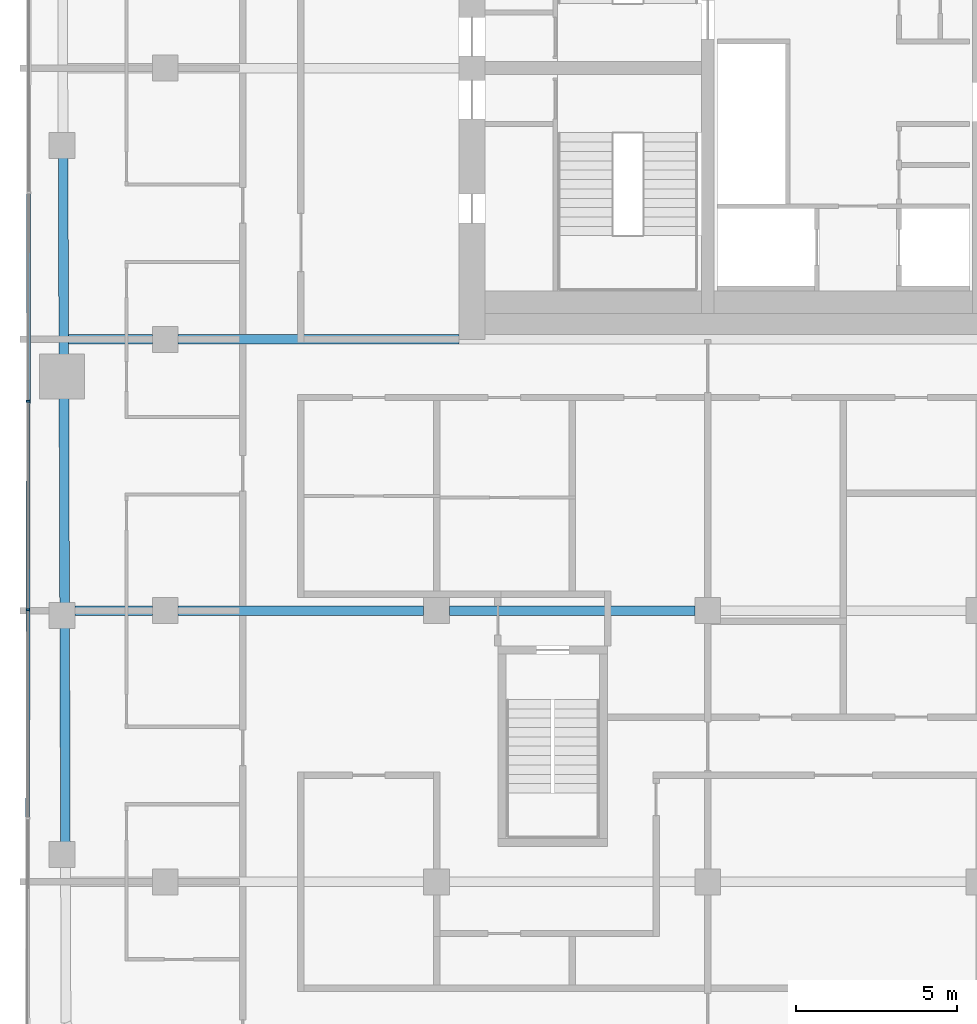
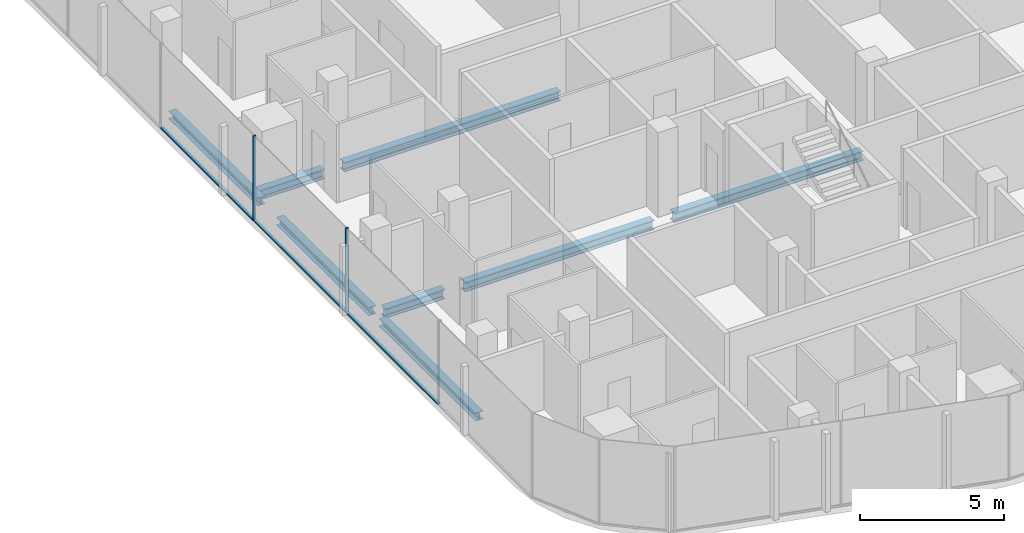
# One storey, part 4 of 21: 8 beams, 5 members, 1 element without a shape of its own.
"""IFC4 building model written with IfcOpenShell, lengths in metres."""

from ifc_helpers import new_model, si_unit, direction, frame, origin, origin_2d, place, context, subcontext, project, spatial, rectangle, i_section, extrude, material, layer, layer_set, material_profile, profile_set, type_object, element, aggregate, save


model = new_model("IFC4")

# Units and contexts
model_context = context("Model", 3, precision=1e-05, world=origin(), true_north=direction((0.0, 1.0)))
body_context = subcontext(model_context, "Body", "Model", "MODEL_VIEW")
ifc_project = project(units=[si_unit("LENGTHUNIT", "METRE"), si_unit("AREAUNIT", "SQUARE_METRE"), si_unit("VOLUMEUNIT", "CUBIC_METRE"), si_unit("PLANEANGLEUNIT", "RADIAN"), si_unit("MASSUNIT", "GRAM", prefix="KILO")], contexts=[model_context])

# Site, building, storey
site_placement = place(None, origin())
site = spatial("IfcSite", under=ifc_project, at=site_placement, CompositionType="ELEMENT")
building_placement = place(site_placement, origin())
building = spatial("IfcBuilding", under=site, at=building_placement, Name="Marenta Gate Hotel Tower", CompositionType="ELEMENT")
storey_placement = place(building_placement, frame((0.0, 0.0, 245.300048828125)))
storey = spatial("IfcBuildingStorey", under=building, at=storey_placement, Name="L58", CompositionType="ELEMENT", Elevation=245.300048828125)

# Beams
ifc_material_1 = material(Name="Steel S355", Category="steel")
ifc_material_profile_1 = material_profile(ifc_material_1, i_section(OverallWidth=0.300048828125, OverallDepth=0.340087890625, WebThickness=0.011962890625, FlangeThickness=0.021484375, FilletRadius=0.027099609375, at=origin_2d()), Name="HEB 340")
ifc_profile_set_1 = profile_set([ifc_material_profile_1], Name="Steel S355")
beam_type_1 = type_object("IfcBeamType", Name="Edge beam HEB 340", PredefinedType="SPANDREL", material=ifc_profile_set_1)
beam_1_placement = place(storey_placement, frame((-24.09375, -15.591796875, -0.429931640625), z_axis=(-0.00332539729, 0.999994470851, 0.0), x_axis=(-0.999994470851, -0.00332539729, 0.0)))
element("IfcBeam", 1, at=beam_1_placement, inside=storey, type_object=beam_type_1, Name="L58-EB-6", PredefinedType="SPANDREL", context=body_context, shape_type="SweptSolid", body=[
    extrude(i_section(OverallWidth=0.300048828125, OverallDepth=0.340087890625, WebThickness=0.011962890625, FlangeThickness=0.021484375, FilletRadius=0.027099609375, at=origin_2d()), origin(), (0.0, 0.0, 1.0), 6.680908203125),
])
beam_2_placement = place(storey_placement, frame((-24.118408203125, -8.19091796875, -0.429931640625), z_axis=(-0.003328723523, 0.999994459785, 0.0), x_axis=(-0.999994459785, -0.003328723523, 0.0)))
element("IfcBeam", 2, at=beam_2_placement, inside=storey, type_object=beam_type_1, Name="L58-EB-7", PredefinedType="SPANDREL", context=body_context, shape_type="SweptSolid", body=[
    extrude(i_section(OverallWidth=0.300048828125, OverallDepth=0.340087890625, WebThickness=0.011962890625, FlangeThickness=0.021484375, FilletRadius=0.027099609375, at=origin_2d()), origin(), (0.0, 0.0, 1.0), 6.380859375),
])
beam_3_placement = place(storey_placement, frame((-24.14404296875, -0.489990234375, -0.429931640625), z_axis=(-0.003303859048, 0.999994542243, 0.0), x_axis=(-0.999994542243, -0.003303859048, 0.0)))
element("IfcBeam", 3, at=beam_3_placement, inside=storey, type_object=beam_type_1, Name="L58-EB-8", PredefinedType="SPANDREL", context=body_context, shape_type="SweptSolid", body=[
    extrude(i_section(OverallWidth=0.300048828125, OverallDepth=0.340087890625, WebThickness=0.011962890625, FlangeThickness=0.021484375, FilletRadius=0.027099609375, at=origin_2d()), origin(), (0.0, 0.0, 1.0), 6.13330078125),
])
ifc_material_2 = material(Name="Steel S355", Category="steel")
ifc_material_profile_2 = material_profile(ifc_material_2, i_section(OverallWidth=0.300048828125, OverallDepth=0.39990234375, WebThickness=0.013427734375, FlangeThickness=0.02392578125, FilletRadius=0.027099609375, at=origin_2d()), Name="HEB 400")
ifc_profile_set_2 = profile_set([ifc_material_profile_2], Name="Steel S355")
beam_type_2 = type_object("IfcBeamType", Name="Girder HEB 400", PredefinedType="BEAM", material=ifc_profile_set_2)
beam_4_placement = place(storey_placement, frame((-23.800048828125, -8.39990234375, -0.4599609375), z_axis=(1.0, 0.0, 0.0), x_axis=(0.0, 1.0, 0.0)))
element("IfcBeam", 4, at=beam_4_placement, inside=storey, type_object=beam_type_2, Name="L58-GD-13", PredefinedType="BEAM", context=body_context, shape_type="SweptSolid", body=[
    extrude(i_section(OverallWidth=0.300048828125, OverallDepth=0.39990234375, WebThickness=0.013427734375, FlangeThickness=0.02392578125, FilletRadius=0.027099609375, at=origin_2d()), origin(), (0.0, 0.0, 1.0), 2.400146484375),
])
beam_5_placement = place(storey_placement, frame((-20.60009765625, -8.39990234375, -0.4599609375), z_axis=(1.0, 0.0, 0.0), x_axis=(0.0, 1.0, 0.0)))
element("IfcBeam", 5, at=beam_5_placement, inside=storey, type_object=beam_type_2, Name="L58-GD-14", PredefinedType="BEAM", context=body_context, shape_type="SweptSolid", body=[
    extrude(i_section(OverallWidth=0.300048828125, OverallDepth=0.39990234375, WebThickness=0.013427734375, FlangeThickness=0.02392578125, FilletRadius=0.027099609375, at=origin_2d()), origin(), (0.0, 0.0, 1.0), 7.60009765625),
])
beam_6_placement = place(storey_placement, frame((-12.199951171875, -8.39990234375, -0.4599609375), z_axis=(1.0, 0.0, 0.0), x_axis=(0.0, 1.0, 0.0)))
element("IfcBeam", 6, at=beam_6_placement, inside=storey, type_object=beam_type_2, Name="L58-GD-15", PredefinedType="BEAM", context=body_context, shape_type="SweptSolid", body=[
    extrude(i_section(OverallWidth=0.300048828125, OverallDepth=0.39990234375, WebThickness=0.013427734375, FlangeThickness=0.02392578125, FilletRadius=0.027099609375, at=origin_2d()), origin(), (0.0, 0.0, 1.0), 7.599853515625),
])
beam_7_placement = place(storey_placement, frame((-23.99560546875, 0.0, -0.4599609375), z_axis=(1.0, 0.0, 0.0), x_axis=(0.0, 1.0, 0.0)))
element("IfcBeam", 7, at=beam_7_placement, inside=storey, type_object=beam_type_2, Name="L58-GD-20", PredefinedType="BEAM", context=body_context, shape_type="SweptSolid", body=[
    extrude(i_section(OverallWidth=0.300048828125, OverallDepth=0.39990234375, WebThickness=0.013427734375, FlangeThickness=0.02392578125, FilletRadius=0.027099609375, at=origin_2d()), origin(), (0.0, 0.0, 1.0), 2.595703125),
])
beam_8_placement = place(storey_placement, frame((-20.60009765625, 0.0, -0.4599609375), z_axis=(1.0, 0.0, 0.0), x_axis=(0.0, 1.0, 0.0)))
element("IfcBeam", 8, at=beam_8_placement, inside=storey, type_object=beam_type_2, Name="L58-GD-21", PredefinedType="BEAM", context=body_context, shape_type="SweptSolid", body=[
    extrude(i_section(OverallWidth=0.300048828125, OverallDepth=0.39990234375, WebThickness=0.013427734375, FlangeThickness=0.02392578125, FilletRadius=0.027099609375, at=origin_2d()), origin(), (0.0, 0.0, 1.0), 8.7001953125),
])

# Curtain wall, members
ifc_material_3 = material(Name="Tinted insulated glass in bronze anodised frame", Category="glass")
ifc_layer = layer(ifc_material_3, 0.1201171875)
ifc_layer_set = layer_set([ifc_layer], Name="Tinted insulated glass in bronze anodised frame")
curtain_wall_type = type_object("IfcCurtainWallType", Name="Tower unitised curtain wall CW1", PredefinedType="NOTDEFINED", material=ifc_layer_set)
curtain_wall_placement = place(storey_placement, origin())
curtain_wall = element("IfcCurtainWall", 9, at=curtain_wall_placement, inside=storey, type_object=curtain_wall_type, Name="CW1 run G03", PredefinedType="NOTDEFINED")
ifc_material_4 = material(Name="Bronze anodised aluminium", Category="aluminium")
ifc_material_profile_3 = material_profile(ifc_material_4, rectangle(XDim=0.1201171875, YDim=0.06005859375, at=origin_2d()), Name="Mullion CW1 60x120 bronze anodised aluminium")
ifc_profile_set_3 = profile_set([ifc_material_profile_3], Name="Bronze anodised aluminium")
member_type_1 = type_object("IfcMemberType", Name="Mullion CW1 60x120 bronze anodised aluminium", PredefinedType="MULLION", material=ifc_profile_set_3)
member_1_placement = place(storey_placement, frame((-25.24267578125, -1.913818359375, 0.0), z_axis=(0.0, 0.0, 1.0), x_axis=(0.99999877375, -0.001566045546, 0.0)))
member_1 = element("IfcMember", 10, at=member_1_placement, type_object=member_type_1, Name="CW1 mullion 4", PredefinedType="MULLION", context=body_context, shape_type="SweptSolid", body=[
    extrude(rectangle(XDim=0.1201171875, YDim=0.06005859375, at=origin_2d()), origin(), (0.0, 0.0, 1.0), 3.599853515625),
])
member_2_placement = place(storey_placement, frame((-25.252685546875, -8.373779296875, 0.0), z_axis=(0.0, 0.0, 1.0), x_axis=(0.99999877375, -0.001566045546, 0.0)))
member_2 = element("IfcMember", 11, at=member_2_placement, type_object=member_type_1, Name="CW1 mullion 5", PredefinedType="MULLION", context=body_context, shape_type="SweptSolid", body=[
    extrude(rectangle(XDim=0.1201171875, YDim=0.06005859375, at=origin_2d()), origin(), (0.0, 0.0, 1.0), 3.599853515625),
])
ifc_material_5 = material(Name="Bronze anodised aluminium", Category="aluminium")
ifc_material_profile_4 = material_profile(ifc_material_5, rectangle(XDim=0.1201171875, YDim=0.06005859375, at=origin_2d()), Name="Transom CW1 60x120 bronze anodised aluminium")
ifc_profile_set_4 = profile_set([ifc_material_profile_4], Name="Bronze anodised aluminium")
member_type_2 = type_object("IfcMemberType", Name="Transom CW1 60x120 bronze anodised aluminium", PredefinedType="USERDEFINED", material=ifc_profile_set_4)
member_3_placement = place(storey_placement, frame((-25.232666015625, 4.51611328125, 0.030029296875), z_axis=(-0.001564047831, -0.999998776876, 0.0), x_axis=(0.999998776876, -0.001564047831, 0.0)))
member_3 = element("IfcMember", 12, at=member_3_placement, type_object=member_type_2, Name="CW1 transom 3.1", ObjectType="TRANSOM", PredefinedType="USERDEFINED", context=body_context, shape_type="SweptSolid", body=[
    extrude(rectangle(XDim=0.1201171875, YDim=0.06005859375, at=origin_2d()), origin(), (0.0, 0.0, 1.0), 6.39990234375),
])
member_4_placement = place(storey_placement, frame((-25.24267578125, -1.94384765625, 0.030029296875), z_axis=(-0.001564047831, -0.999998776876, 0.0), x_axis=(0.999998776876, -0.001564047831, 0.0)))
member_4 = element("IfcMember", 13, at=member_4_placement, type_object=member_type_2, Name="CW1 transom 4.1", ObjectType="TRANSOM", PredefinedType="USERDEFINED", context=body_context, shape_type="SweptSolid", body=[
    extrude(rectangle(XDim=0.1201171875, YDim=0.06005859375, at=origin_2d()), origin(), (0.0, 0.0, 1.0), 6.39990234375),
])
member_5_placement = place(storey_placement, frame((-25.2529296875, -8.40380859375, 0.030029296875), z_axis=(-0.001564047831, -0.999998776876, 0.0), x_axis=(0.999998776876, -0.001564047831, 0.0)))
member_5 = element("IfcMember", 14, at=member_5_placement, type_object=member_type_2, Name="CW1 transom 5.1", ObjectType="TRANSOM", PredefinedType="USERDEFINED", context=body_context, shape_type="SweptSolid", body=[
    extrude(rectangle(XDim=0.1201171875, YDim=0.06005859375, at=origin_2d()), origin(), (0.0, 0.0, 1.0), 6.39990234375),
])
aggregate(curtain_wall, [member_1, member_2, member_3, member_4, member_5])

save(model, "model.ifc")
